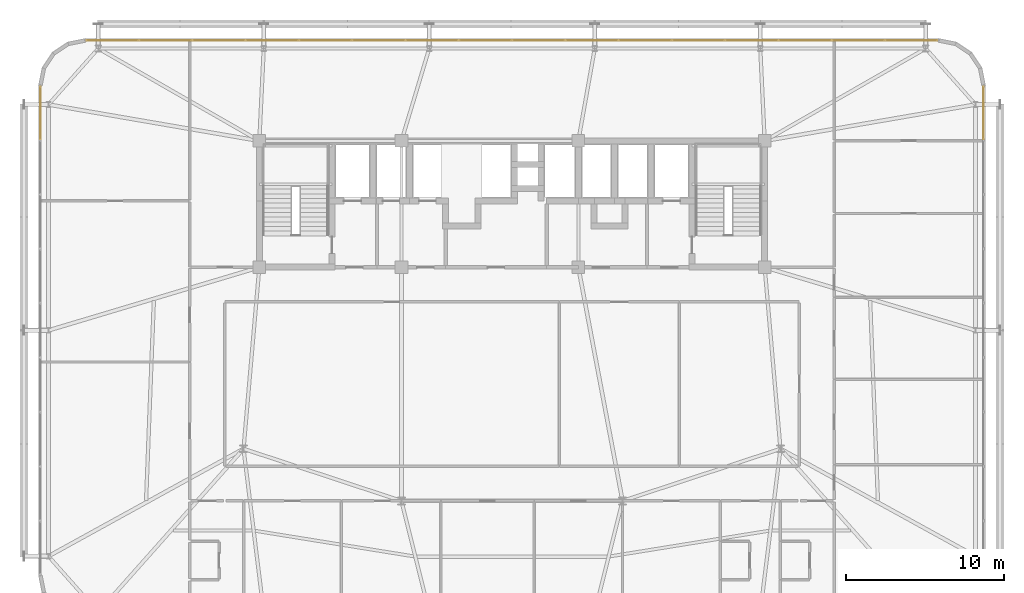
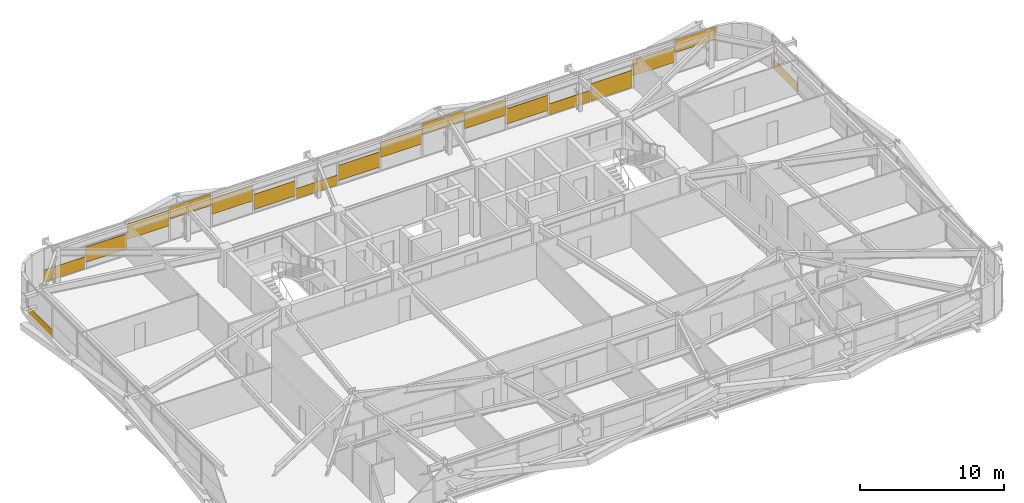
# One storey, part 58 of 58: 18 coverings.
"""IFC4 building model written with IfcOpenShell, lengths in metres."""

from ifc_helpers import new_model, si_unit, direction, frame, origin, origin_2d, place, context, subcontext, project, spatial, rectangle, extrude, source, transform, mapped, material, layer, layer_set, type_object, element, save


model = new_model("IFC4")

# Units and contexts
model_context = context("Model", 3, precision=1e-05, world=origin(), true_north=direction((0.0, 1.0)))
body_context = subcontext(model_context, "Body", "Model", "MODEL_VIEW")
ifc_project = project(units=[si_unit("LENGTHUNIT", "METRE"), si_unit("AREAUNIT", "SQUARE_METRE"), si_unit("VOLUMEUNIT", "CUBIC_METRE"), si_unit("PLANEANGLEUNIT", "RADIAN"), si_unit("MASSUNIT", "GRAM", prefix="KILO")], contexts=[model_context])

# Site, building, storey
site_placement = place(None, origin())
site = spatial("IfcSite", under=ifc_project, at=site_placement, CompositionType="ELEMENT")
building_placement = place(site_placement, origin())
building = spatial("IfcBuilding", under=site, at=building_placement, Name="Taldren Reach Tower", CompositionType="ELEMENT")
storey_placement = place(building_placement, frame((0.0, 0.0, 54.60009765625)))
storey = spatial("IfcBuildingStorey", under=building, at=storey_placement, Name="L16", CompositionType="ELEMENT", Elevation=54.60009765625)

# Coverings
ifc_material = material(Name="Pale Champagne Fluoropolymer Aluminium Spandrel Cladding", Category="aluminium")
ifc_layer = layer(ifc_material, 0.0439453125)
ifc_layer_set = layer_set([ifc_layer], Name="Pale Champagne Fluoropolymer Aluminium Spandrel Cladding")
covering_type = type_object("IfcCoveringType", Name="CV-CLAD-044", PredefinedType="CLADDING", material=ifc_layer_set)
shared_shape_1 = source(origin(), body_context, "Body", "SweptSolid", [
    extrude(rectangle(XDim=3.277587890625, YDim=0.0439453125, at=origin_2d()), origin(), (0.0, 0.0, 1.0), 1.081298828125),
])
covering_1_placement = place(storey_placement, frame((60.296142578125, 38.360107421875, 1.79345703125), z_axis=(0.0, 0.0, 1.0), x_axis=(-1.0, 0.0, 0.0)))
element("IfcCovering", 1, at=covering_1_placement, inside=storey, type_object=covering_type, Name="Diagrid closure cladding strip CW-2 panel 1.1 1", PredefinedType="CLADDING", context=body_context, shape_type="MappedRepresentation", body=[
    mapped(shared_shape_1, transform((0.0, 0.0, 0.0), scale=1.0)),
])
shared_shape_2 = source(origin(), body_context, "Body", "SweptSolid", [
    extrude(rectangle(XDim=3.31005859375, YDim=0.0439453125, at=origin_2d()), origin(), (0.0, 0.0, 1.0), 1.301025390625),
])
for number, where, z_axis, x_axis, name in (
    (2, (56.9375, 38.360107421875, 1.01123046875), (0.0, 0.0, 1.0), (-1.0, 0.0, 0.0), "Diagrid closure cladding strip CW-2 panel 2.1 1"),
    (3, (46.8125, 38.360107421875, 0.4755859375), (0.0, 0.0, 1.0), (-1.0, 0.0, 0.0), "Diagrid closure cladding strip CW-2 panel 5.1 1"),
    (4, (43.4375, 38.360107421875, 1.2578125), (0.0, 0.0, 1.0), (-1.0, 0.0, 0.0), "Diagrid closure cladding strip CW-2 panel 6.1 1"),
    (5, (36.6875, 38.360107421875, 1.17578125), (0.0, 0.0, 1.0), (-1.0, 0.0, 0.0), "Diagrid closure cladding strip CW-2 panel 8.1 1"),
    (6, (33.3125, 38.360107421875, 0.39306640625), (0.0, 0.0, 1.0), (-1.0, 0.0, 0.0), "Diagrid closure cladding strip CW-2 panel 9.1 1"),
    (7, (26.5625, 38.360107421875, 0.31103515625), (0.0, 0.0, 1.0), (-1.0, 0.0, 0.0), "Diagrid closure cladding strip CW-2 panel 11.1 1"),
    (8, (23.1875, 38.360107421875, 1.09326171875), (0.0, 0.0, 1.0), (-1.0, 0.0, 0.0), "Diagrid closure cladding strip CW-2 panel 12.1 1"),
    (9, (16.4375, 38.360107421875, 1.34033203125), (0.0, 0.0, 1.0), (-1.0, 0.0, 0.0), "Diagrid closure cladding strip CW-2 panel 14.1 1"),
    (10, (13.0625, 38.360107421875, 0.5576171875), (0.0, 0.0, 1.0), (-1.0, 0.0, 0.0), "Diagrid closure cladding strip CW-2 panel 15.1 1"),
):
    element("IfcCovering", number, at=place(storey_placement, frame(where, z_axis=z_axis, x_axis=x_axis)), inside=storey, type_object=covering_type, Name=name, PredefinedType="CLADDING", context=body_context, shape_type="MappedRepresentation", body=[
        mapped(shared_shape_2, transform((0.0, 0.0, 0.0), scale=1.0)),
    ])
shared_shape_3 = source(origin(), body_context, "Body", "SweptSolid", [
    extrude(rectangle(XDim=3.31005859375, YDim=0.0439453125, at=origin_2d()), origin(), (0.0, 0.0, 1.0), 1.474609375),
])
covering_2_placement = place(storey_placement, frame((53.5625, 38.360107421875, 0.054931640625), z_axis=(0.0, 0.0, 1.0), x_axis=(-1.0, 0.0, 0.0)))
element("IfcCovering", 11, at=covering_2_placement, inside=storey, type_object=covering_type, Name="Diagrid closure cladding strip CW-2 panel 3.1 1", PredefinedType="CLADDING", context=body_context, shape_type="MappedRepresentation", body=[
    mapped(shared_shape_3, transform((0.0, 0.0, 0.0), scale=1.0)),
])
shared_shape_4 = source(origin(), body_context, "Body", "SweptSolid", [
    extrude(rectangle(XDim=3.31005859375, YDim=0.0439453125, at=origin_2d()), origin(), (0.0, 0.0, 1.0), 0.93896484375),
])
covering_3_placement = place(storey_placement, frame((50.1875, 38.360107421875, 0.054931640625), z_axis=(0.0, 0.0, 1.0), x_axis=(-1.0, 0.0, 0.0)))
element("IfcCovering", 12, at=covering_3_placement, inside=storey, type_object=covering_type, Name="Diagrid closure cladding strip CW-2 panel 4.1 1", PredefinedType="CLADDING", context=body_context, shape_type="MappedRepresentation", body=[
    mapped(shared_shape_4, transform((0.0, 0.0, 0.0), scale=1.0)),
])
shared_shape_5 = source(origin(), body_context, "Body", "SweptSolid", [
    extrude(rectangle(XDim=3.31005859375, YDim=0.0439453125, at=origin_2d()), origin(), (0.0, 0.0, 1.0), 0.916748046875),
])
covering_4_placement = place(storey_placement, frame((40.0625, 38.360107421875, 1.9580078125), z_axis=(0.0, 0.0, 1.0), x_axis=(-1.0, 0.0, 0.0)))
element("IfcCovering", 13, at=covering_4_placement, inside=storey, type_object=covering_type, Name="Diagrid closure cladding strip CW-2 panel 7.1 1", PredefinedType="CLADDING", context=body_context, shape_type="MappedRepresentation", body=[
    mapped(shared_shape_5, transform((0.0, 0.0, 0.0), scale=1.0)),
])
shared_shape_6 = source(origin(), body_context, "Body", "SweptSolid", [
    extrude(rectangle(XDim=3.31005859375, YDim=0.0439453125, at=origin_2d()), origin(), (0.0, 0.0, 1.0), 0.856689453125),
])
covering_5_placement = place(storey_placement, frame((29.9375, 38.360107421875, 0.0546875), z_axis=(0.0, 0.0, 1.0), x_axis=(-1.0, 0.0, 0.0)))
element("IfcCovering", 14, at=covering_5_placement, inside=storey, type_object=covering_type, Name="Diagrid closure cladding strip CW-2 panel 10.1 1", PredefinedType="CLADDING", context=body_context, shape_type="MappedRepresentation", body=[
    mapped(shared_shape_6, transform((0.0, 0.0, 0.0), scale=1.0)),
])
shared_shape_7 = source(origin(), body_context, "Body", "SweptSolid", [
    extrude(rectangle(XDim=3.31005859375, YDim=0.0439453125, at=origin_2d()), origin(), (0.0, 0.0, 1.0), 0.9990234375),
])
covering_6_placement = place(storey_placement, frame((19.8125, 38.360107421875, 1.8759765625), z_axis=(0.0, 0.0, 1.0), x_axis=(-1.0, 0.0, 0.0)))
element("IfcCovering", 15, at=covering_6_placement, inside=storey, type_object=covering_type, Name="Diagrid closure cladding strip CW-2 panel 13.1 1", PredefinedType="CLADDING", context=body_context, shape_type="MappedRepresentation", body=[
    mapped(shared_shape_7, transform((0.0, 0.0, 0.0), scale=1.0)),
])
shared_shape_8 = source(origin(), body_context, "Body", "SweptSolid", [
    extrude(rectangle(XDim=3.277587890625, YDim=0.0439453125, at=origin_2d()), origin(), (0.0, 0.0, 1.0), 1.021240234375),
])
covering_7_placement = place(storey_placement, frame((9.703857421875, 38.360107421875, 0.0546875), z_axis=(0.0, 0.0, 1.0), x_axis=(-1.0, 0.0, 0.0)))
element("IfcCovering", 16, at=covering_7_placement, inside=storey, type_object=covering_type, Name="Diagrid closure cladding strip CW-2 panel 16.1 1", PredefinedType="CLADDING", context=body_context, shape_type="MappedRepresentation", body=[
    mapped(shared_shape_8, transform((0.0, 0.0, 0.0), scale=1.0)),
])
shared_shape_9 = source(origin(), body_context, "Body", "SweptSolid", [
    extrude(rectangle(XDim=3.346923828125, YDim=0.0439453125, at=origin_2d()), origin(), (0.0, 0.0, 1.0), 0.804443359375),
])
for number, where, z_axis, x_axis, name in (
    (17, (5.139892578125, 33.761474609375, 0.05517578125), (0.0, 0.0, 1.0), (0.0, -1.0, 0.0), "Diagrid closure cladding strip CW-2 panel 1.1 1"),
    (18, (64.860107421875, 33.761474609375, 0.05517578125), (0.0, 0.0, 1.0), (0.0, 1.0, 0.0), "Diagrid closure cladding strip CW-2 panel 9.1 1"),
):
    element("IfcCovering", number, at=place(storey_placement, frame(where, z_axis=z_axis, x_axis=x_axis)), inside=storey, type_object=covering_type, Name=name, PredefinedType="CLADDING", context=body_context, shape_type="MappedRepresentation", body=[
        mapped(shared_shape_9, transform((0.0, 0.0, 0.0), scale=1.0)),
    ])

save(model, "model.ifc")
